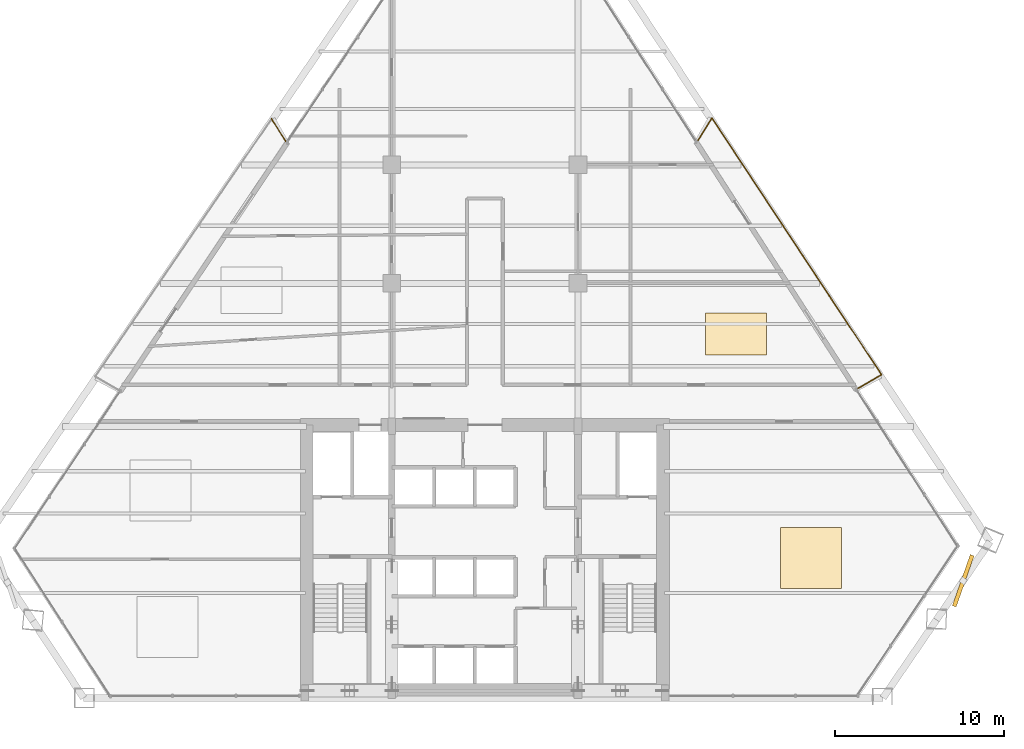
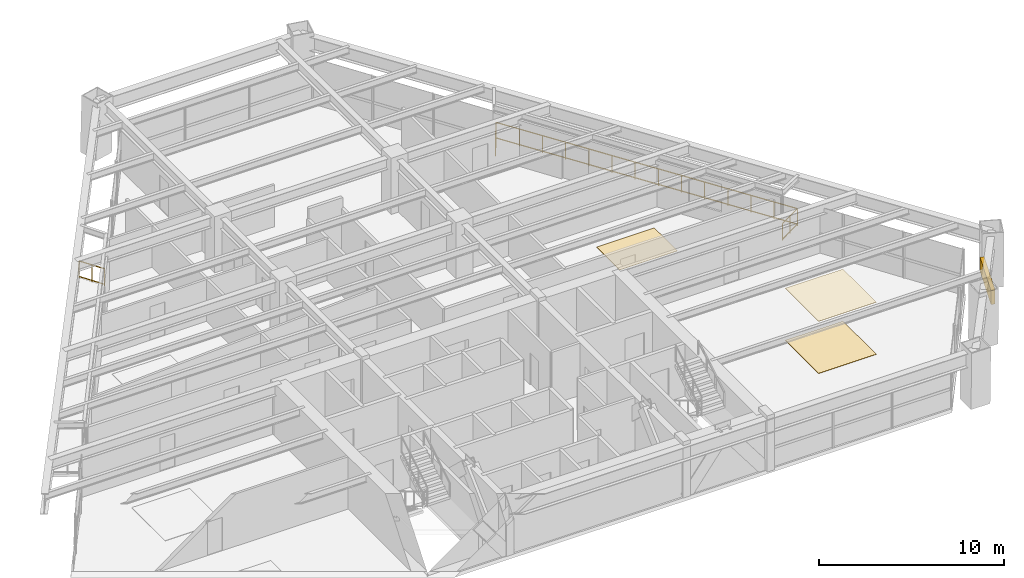
# One storey, part 14 of 14: 4 railings, 3 coverings, 1 shading device.
"""IFC4 building model written with IfcOpenShell, lengths in metres."""

from ifc_helpers import new_model, si_unit, direction, frame, origin, origin_2d, place, context, subcontext, project, spatial, rectangle, extrude, source, transform, mapped, material, layer, layer_set, type_object, type_shapes, element, save


model = new_model("IFC4")

# Units and contexts
model_context = context("Model", 3, precision=1e-05, world=origin(), true_north=direction((0.0, 1.0)))
body_context = subcontext(model_context, "Body", "Model", "MODEL_VIEW")
ifc_project = project(units=[si_unit("LENGTHUNIT", "METRE"), si_unit("AREAUNIT", "SQUARE_METRE"), si_unit("VOLUMEUNIT", "CUBIC_METRE"), si_unit("PLANEANGLEUNIT", "RADIAN"), si_unit("MASSUNIT", "GRAM", prefix="KILO")], contexts=[model_context])

# Site, building, storey
site_placement = place(None, origin())
site = spatial("IfcSite", under=ifc_project, at=site_placement, CompositionType="ELEMENT")
building_placement = place(site_placement, origin())
building = spatial("IfcBuilding", under=site, at=building_placement, Name="Varnakhor Terracotta Tower", CompositionType="ELEMENT")
storey_placement = place(building_placement, frame((0.0, 0.0, 98.800048828125)))
storey = spatial("IfcBuildingStorey", under=building, at=storey_placement, Name="L24", CompositionType="ELEMENT", Elevation=98.800048828125)

# Railings
ifc_material_1 = material(Name="Stainless Steel & Laminated Glass Guardrail", Category="steel")
railing_type = type_object("IfcRailingType", Name="RLG-LOGGIA-GUARD-1150", PredefinedType="GUARDRAIL", material=ifc_material_1)
railing_1_placement = place(storey_placement, frame((12.590576171875, 32.929443359375, 0.0)))
element("IfcRailing", 1, at=railing_1_placement, inside=storey, type_object=railing_type, Name="L24 E Loggia Glass Guard 1", PredefinedType="GUARDRAIL", context=body_context, shape_type="SweptSolid", body=[
    extrude(rectangle(XDim=0.048095703125, YDim=0.048095703125, at=origin_2d()), frame((0.0, 0.0, 1.1259765625), z_axis=(0.526360009244, 0.850261807133, 0.0), x_axis=(-0.850261807133, 0.526360009244, 0.0)), (0.0, 0.0, 1.0), 1.55810546875),
    extrude(rectangle(XDim=0.048095703125, YDim=0.048095703125, at=origin_2d()), frame((0.0, 0.0, 0.10009765625), z_axis=(0.526360009244, 0.850261807133, 0.0), x_axis=(-0.850261807133, 0.526360009244, 0.0)), (0.0, 0.0, 1.0), 1.55810546875),
    extrude(rectangle(XDim=0.0419921875, YDim=0.0419921875, at=origin_2d()), origin(), (0.0, 0.0, 1.0), 1.101806640625),
    extrude(rectangle(XDim=0.0419921875, YDim=0.0419921875, at=origin_2d()), frame((0.41015625, 0.662353515625, 0.0)), (0.0, 0.0, 1.0), 1.101806640625),
    extrude(rectangle(XDim=0.0419921875, YDim=0.0419921875, at=origin_2d()), frame((0.820068359375, 1.32470703125, 0.0)), (0.0, 0.0, 1.0), 1.101806640625),
])
railing_2_placement = place(storey_placement, frame((13.41064453125, 34.254150390625, 0.0)))
element("IfcRailing", 2, at=railing_2_placement, inside=storey, type_object=railing_type, Name="L24 E Loggia Glass Guard 2", PredefinedType="GUARDRAIL", context=body_context, shape_type="SweptSolid", body=[
    extrude(rectangle(XDim=0.048095703125, YDim=0.048095703125, at=origin_2d()), frame((0.0, 0.0, 1.1259765625), z_axis=(0.551498948909, -0.834175586644, 0.0), x_axis=(0.834175586644, 0.551498948909, 0.0)), (0.0, 0.0, 1.0), 18.168212890625),
    extrude(rectangle(XDim=0.048095703125, YDim=0.048095703125, at=origin_2d()), frame((0.0, 0.0, 0.10009765625), z_axis=(0.551498948909, -0.834175586644, 0.0), x_axis=(0.834175586644, 0.551498948909, 0.0)), (0.0, 0.0, 1.0), 18.168212890625),
    extrude(rectangle(XDim=0.0419921875, YDim=0.0419921875, at=origin_2d()), origin(), (0.0, 0.0, 1.0), 1.101806640625),
    extrude(rectangle(XDim=0.0419921875, YDim=0.0419921875, at=origin_2d()), frame((0.770751953125, -1.165771484375, 0.0)), (0.0, 0.0, 1.0), 1.101806640625),
    extrude(rectangle(XDim=0.0419921875, YDim=0.0419921875, at=origin_2d()), frame((1.54150390625, -2.33154296875, 0.0)), (0.0, 0.0, 1.0), 1.101806640625),
    extrude(rectangle(XDim=0.0419921875, YDim=0.0419921875, at=origin_2d()), frame((2.312255859375, -3.497314453125, 0.0)), (0.0, 0.0, 1.0), 1.101806640625),
    extrude(rectangle(XDim=0.0419921875, YDim=0.0419921875, at=origin_2d()), frame((3.0830078125, -4.663330078125, 0.0)), (0.0, 0.0, 1.0), 1.101806640625),
    extrude(rectangle(XDim=0.0419921875, YDim=0.0419921875, at=origin_2d()), frame((3.853759765625, -5.8291015625, 0.0)), (0.0, 0.0, 1.0), 1.101806640625),
    extrude(rectangle(XDim=0.0419921875, YDim=0.0419921875, at=origin_2d()), frame((4.62451171875, -6.994873046875, 0.0)), (0.0, 0.0, 1.0), 1.101806640625),
    extrude(rectangle(XDim=0.0419921875, YDim=0.0419921875, at=origin_2d()), frame((5.395263671875, -8.16064453125, 0.0)), (0.0, 0.0, 1.0), 1.101806640625),
    extrude(rectangle(XDim=0.0419921875, YDim=0.0419921875, at=origin_2d()), frame((6.166015625, -9.326416015625, 0.0)), (0.0, 0.0, 1.0), 1.101806640625),
    extrude(rectangle(XDim=0.0419921875, YDim=0.0419921875, at=origin_2d()), frame((6.936767578125, -10.4921875, 0.0)), (0.0, 0.0, 1.0), 1.101806640625),
    extrude(rectangle(XDim=0.0419921875, YDim=0.0419921875, at=origin_2d()), frame((7.70751953125, -11.658203125, 0.0)), (0.0, 0.0, 1.0), 1.101806640625),
    extrude(rectangle(XDim=0.0419921875, YDim=0.0419921875, at=origin_2d()), frame((8.478271484375, -12.823974609375, 0.0)), (0.0, 0.0, 1.0), 1.101806640625),
    extrude(rectangle(XDim=0.0419921875, YDim=0.0419921875, at=origin_2d()), frame((9.2490234375, -13.98974609375, 0.0)), (0.0, 0.0, 1.0), 1.101806640625),
    extrude(rectangle(XDim=0.0419921875, YDim=0.0419921875, at=origin_2d()), frame((10.019775390625, -15.155517578125, 0.0)), (0.0, 0.0, 1.0), 1.101806640625),
])
railing_3_placement = place(storey_placement, frame((23.430419921875, 19.0986328125, 0.0)))
element("IfcRailing", 3, at=railing_3_placement, inside=storey, type_object=railing_type, Name="L24 E Loggia Glass Guard 3", PredefinedType="GUARDRAIL", context=body_context, shape_type="SweptSolid", body=[
    extrude(rectangle(XDim=0.048095703125, YDim=0.048095703125, at=origin_2d()), frame((0.0, 0.0, 1.1259765625), z_axis=(-0.862032166397, -0.506853572639, 0.0), x_axis=(0.506853572639, -0.862032166397, 0.0)), (0.0, 0.0, 1.0), 1.6015625),
    extrude(rectangle(XDim=0.048095703125, YDim=0.048095703125, at=origin_2d()), frame((0.0, 0.0, 0.10009765625), z_axis=(-0.862032166397, -0.506853572639, 0.0), x_axis=(0.506853572639, -0.862032166397, 0.0)), (0.0, 0.0, 1.0), 1.6015625),
    extrude(rectangle(XDim=0.0419921875, YDim=0.0419921875, at=origin_2d()), origin(), (0.0, 0.0, 1.0), 1.101806640625),
    extrude(rectangle(XDim=0.0419921875, YDim=0.0419921875, at=origin_2d()), frame((-0.6904296875, -0.40576171875, 0.0)), (0.0, 0.0, 1.0), 1.101806640625),
    extrude(rectangle(XDim=0.0419921875, YDim=0.0419921875, at=origin_2d()), frame((-1.380615234375, -0.811767578125, 0.0)), (0.0, 0.0, 1.0), 1.101806640625),
])
railing_4_placement = place(storey_placement, frame((-12.606201171875, 34.2177734375, 0.0)))
element("IfcRailing", 4, at=railing_4_placement, inside=storey, type_object=railing_type, Name="L24 W Loggia Glass Guard 3", PredefinedType="GUARDRAIL", context=body_context, shape_type="SweptSolid", body=[
    extrude(rectangle(XDim=0.048095703125, YDim=0.048095703125, at=origin_2d()), frame((0.0, 0.0, 1.1259765625), z_axis=(0.527842489652, -0.849342278541, 0.0), x_axis=(0.849342278541, 0.527842489652, 0.0)), (0.0, 0.0, 1.0), 1.558349609375),
    extrude(rectangle(XDim=0.048095703125, YDim=0.048095703125, at=origin_2d()), frame((0.0, 0.0, 0.10009765625), z_axis=(0.527842489652, -0.849342278541, 0.0), x_axis=(0.849342278541, 0.527842489652, 0.0)), (0.0, 0.0, 1.0), 1.558349609375),
    extrude(rectangle(XDim=0.0419921875, YDim=0.0419921875, at=origin_2d()), origin(), (0.0, 0.0, 1.0), 1.101806640625),
    extrude(rectangle(XDim=0.0419921875, YDim=0.0419921875, at=origin_2d()), frame((0.4111328125, -0.66162109375, 0.0)), (0.0, 0.0, 1.0), 1.101806640625),
    extrude(rectangle(XDim=0.0419921875, YDim=0.0419921875, at=origin_2d()), frame((0.822509765625, -1.323486328125, 0.0)), (0.0, 0.0, 1.0), 1.101806640625),
])

# Shading device
ifc_material_2 = material(Name="Extruded Architectural Terracotta Screen", Category="masonry")
shading_device_type = type_object("IfcShadingDeviceType", Name="TERRACOTTA SOLAR SCREEN E", PredefinedType="USERDEFINED", material=ifc_material_2)
shared_shape_1 = source(origin(), body_context, "Body", "SweptSolid", [
    extrude(rectangle(XDim=3.199951171875, YDim=0.239990234375, at=origin_2d()), origin(), (0.0, 0.0, 1.0), 0.919921875),
])
type_shapes(shading_device_type, [shared_shape_1])
shading_device_placement = place(storey_placement, frame((28.259033203125, 6.919921875, 1.617919921875), z_axis=(0.0, 0.0, 1.0), x_axis=(0.331766006572, 0.943361710524, 0.0)))
element("IfcShadingDevice", 5, at=shading_device_placement, inside=storey, type_object=shading_device_type, Name="L24 E Terracotta Solar Screen", ObjectType="SCREEN", PredefinedType="USERDEFINED", context=body_context, shape_type="MappedRepresentation", body=[
    mapped(shared_shape_1, transform((0.0, 0.0, 0.0), scale=1.0)),
])

# Coverings
ifc_material_3 = material(Name="Honed Riyadh Limestone Flooring", Category="masonry")
ifc_layer_1 = layer(ifc_material_3, 0.030029296875, Name="Honed Riyadh Limestone Flooring")
ifc_layer_set_1 = layer_set([ifc_layer_1], Name="Honed Riyadh Limestone Flooring")
covering_type_1 = type_object("IfcCoveringType", Name="COV-FLOOR-LIMESTONE", PredefinedType="FLOORING", material=ifc_layer_set_1)
shared_shape_2 = source(origin(), body_context, "Body", "SweptSolid", [
    extrude(rectangle(XDim=3.60009765625, YDim=3.60009765625, at=origin_2d()), origin(), (0.0, 0.0, 1.0), 0.02001953125),
])
covering_1_placement = place(storey_placement, frame((19.262939453125, 8.26611328125, 0.0), z_axis=(0.0, 0.0, 1.0), x_axis=(1.0, 0.0, 0.0)))
element("IfcCovering", 6, at=covering_1_placement, inside=storey, type_object=covering_type_1, Name="L24 Honed Stone Flooring 2", PredefinedType="FLOORING", context=body_context, shape_type="MappedRepresentation", body=[
    mapped(shared_shape_2, transform((0.0, 0.0, 0.0), scale=1.0)),
])
ifc_material_4 = material(Name="Perforated Acoustic Mineral-Fibre Ceiling", Category="gypsum")
ifc_layer_2 = layer(ifc_material_4, 0.02490234375, Name="Perforated Acoustic Mineral-Fibre Ceiling")
ifc_layer_set_2 = layer_set([ifc_layer_2], Name="Perforated Acoustic Mineral-Fibre Ceiling")
covering_type_2 = type_object("IfcCoveringType", Name="COV-CEILING-ACOUSTIC", PredefinedType="CEILING", material=ifc_layer_set_2)
shared_shape_3 = source(origin(), body_context, "Body", "SweptSolid", [
    extrude(rectangle(XDim=3.60009765625, YDim=3.60009765625, at=origin_2d()), origin(), (0.0, 0.0, 1.0), 0.02392578125),
])
covering_2_placement = place(storey_placement, frame((19.262939453125, 8.26611328125, 3.426025390625), z_axis=(0.0, 0.0, 1.0), x_axis=(1.0, 0.0, 0.0)))
element("IfcCovering", 7, at=covering_2_placement, inside=storey, type_object=covering_type_2, Name="L24 Acoustic Ceiling Panel 2", PredefinedType="CEILING", context=body_context, shape_type="MappedRepresentation", body=[
    mapped(shared_shape_3, transform((0.0, 0.0, 0.0), scale=1.0)),
])
shared_shape_4 = source(origin(), body_context, "Body", "SweptSolid", [
    extrude(rectangle(XDim=3.60009765625, YDim=2.489013671875, at=origin_2d()), origin(), (0.0, 0.0, 1.0), 0.02001953125),
])
covering_3_placement = place(storey_placement, frame((14.830078125, 21.510986328125, 0.0), z_axis=(0.0, 0.0, 1.0), x_axis=(1.0, 0.0, 0.0)))
element("IfcCovering", 8, at=covering_3_placement, inside=storey, type_object=covering_type_1, Name="L24 Honed Stone Flooring 4", PredefinedType="FLOORING", context=body_context, shape_type="MappedRepresentation", body=[
    mapped(shared_shape_4, transform((0.0, 0.0, 0.0), scale=1.0)),
])

save(model, "model.ifc")
